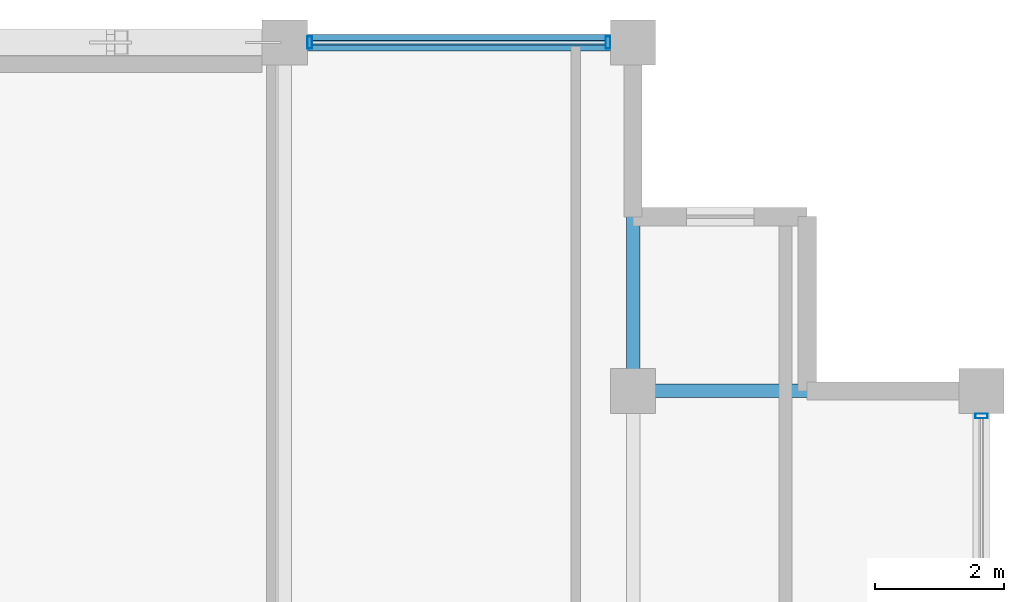
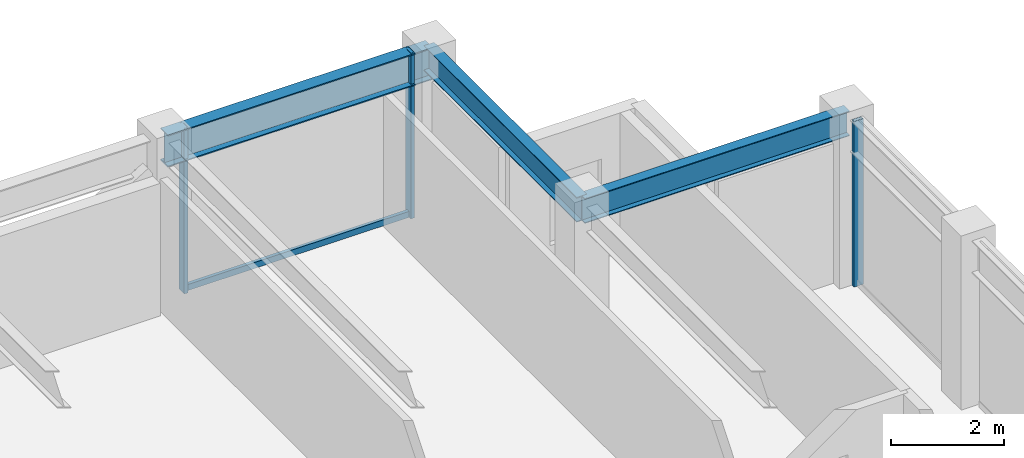
# One storey, part 22 of 31: 4 members, 3 beams, 2 elements without a shape of their own.
"""IFC4 building model written with IfcOpenShell, lengths in metres."""

from ifc_helpers import new_model, si_unit, direction, frame, origin, origin_2d, place, context, subcontext, project, spatial, hollow_rectangle, i_section, extrude, material, layer, layer_set, material_profile, profile_set, type_object, element, aggregate, save


model = new_model("IFC4")

# Units and contexts
model_context = context("Model", 3, precision=1e-05, world=origin(), true_north=direction((0.0, 1.0)))
body_context = subcontext(model_context, "Body", "Model", "MODEL_VIEW")
ifc_project = project(units=[si_unit("LENGTHUNIT", "METRE"), si_unit("AREAUNIT", "SQUARE_METRE"), si_unit("VOLUMEUNIT", "CUBIC_METRE"), si_unit("PLANEANGLEUNIT", "RADIAN"), si_unit("MASSUNIT", "GRAM", prefix="KILO")], contexts=[model_context])

# Site, building, storey
site_placement = place(None, origin())
site = spatial("IfcSite", under=ifc_project, at=site_placement, CompositionType="ELEMENT")
building_placement = place(site_placement, origin())
building = spatial("IfcBuilding", under=site, at=building_placement, Name="Surkhivell Harbour Commons", CompositionType="ELEMENT")
storey_placement = place(building_placement, frame((0.0, 0.0, 285.0)))
storey = spatial("IfcBuildingStorey", under=building, at=storey_placement, Name="L74", CompositionType="ELEMENT", Elevation=285.0)

# Beams
ifc_material_1 = material(Name="Steel S355", Category="steel")
ifc_material_profile_1 = material_profile(ifc_material_1, i_section(OverallWidth=0.2099609375, OverallDepth=0.537109375, WebThickness=0.0107421875, FlangeThickness=0.017333984375, at=origin_2d()), Name="UB533x210x101")
ifc_profile_set_1 = profile_set([ifc_material_profile_1], Name="Steel S355")
beam_type_1 = type_object("IfcBeamType", Name="BM-GRD-533B", PredefinedType="BEAM", material=ifc_profile_set_1)
for number, where, z_axis, x_axis, name in (
    (1, (10.800048828125, 20.5, 3.301513671875), (0.0, 1.0, 0.0), (-1.0, 0.0, 0.0), "L74 Floor Girder (10.8,20.5)"),
    (2, (10.800048828125, 20.5, 3.301513671875), (1.0, 0.0, 0.0), (0.0, 1.0, 0.0), "L74 Floor Girder (10.8,20.5)"),
):
    element("IfcBeam", number, at=place(storey_placement, frame(where, z_axis=z_axis, x_axis=x_axis)), inside=storey, type_object=beam_type_1, Name=name, PredefinedType="BEAM", context=body_context, shape_type="SweptSolid", body=[
        extrude(i_section(OverallWidth=0.2099609375, OverallDepth=0.537109375, WebThickness=0.0107421875, FlangeThickness=0.017333984375, at=origin_2d()), origin(), (0.0, 0.0, 1.0), 5.39990234375),
    ])
ifc_material_profile_2 = material_profile(ifc_material_1, i_section(OverallWidth=0.256103515625, OverallDepth=0.693115234375, WebThickness=0.014404296875, FlangeThickness=0.023681640625, at=origin_2d()), Name="UB686x254x170")
ifc_profile_set_2 = profile_set([ifc_material_profile_2], Name="Steel S355")
beam_type_2 = type_object("IfcBeamType", Name="BM-SPN-686", PredefinedType="SPANDREL", material=ifc_profile_set_2)
beam_placement = place(storey_placement, frame((5.39990234375, 25.89990234375, 3.223388671875), z_axis=(1.0, 0.0, 0.0), x_axis=(0.0, 1.0, 0.0)))
element("IfcBeam", 3, at=beam_placement, inside=storey, type_object=beam_type_2, Name="L74 Tube Spandrel (5.4,25.9)", PredefinedType="SPANDREL", context=body_context, shape_type="SweptSolid", body=[
    extrude(i_section(OverallWidth=0.256103515625, OverallDepth=0.693115234375, WebThickness=0.014404296875, FlangeThickness=0.023681640625, at=origin_2d()), origin(), (0.0, 0.0, 1.0), 5.400146484375),
])

# Curtain wall, member
ifc_material_2 = material(Name="Anodised pale-metal aluminium and insulated glazing", Category="aluminium")
ifc_layer = layer(ifc_material_2, 0.175048828125)
ifc_layer_set = layer_set([ifc_layer], Name="Anodised pale-metal aluminium and insulated glazing")
curtain_wall_type = type_object("IfcCurtainWallType", Name="CW-SYS-Z4", PredefinedType="NOTDEFINED", material=ifc_layer_set)
curtain_wall_1_placement = place(storey_placement, origin())
curtain_wall_1 = element("IfcCurtainWall", 4, at=curtain_wall_1_placement, inside=storey, type_object=curtain_wall_type, Name="L74 Curtain Wall CW-L74-E02", PredefinedType="NOTDEFINED")
ifc_material_3 = material(Name="Anodised pale-metal aluminium alloy 6063-T6", Category="aluminium")
ifc_material_profile_3 = material_profile(ifc_material_3, hollow_rectangle(XDim=0.074951171875, YDim=0.18994140625, WallThickness=0.00390625, at=origin_2d()), Name="ALU-MULL-75x190")
ifc_profile_set_3 = profile_set([ifc_material_profile_3], Name="Anodised pale-metal aluminium alloy 6063-T6")
member_type_1 = type_object("IfcMemberType", Name="CWM-190", PredefinedType="MULLION", material=ifc_profile_set_3)
member_1_placement = place(storey_placement, frame((16.199951171875, 20.110595703125, 0.0), z_axis=(0.0, 0.0, 1.0), x_axis=(0.0, 1.0, 0.0)))
member_1 = element("IfcMember", 5, at=member_1_placement, type_object=member_type_1, Name="CW-Z4 mullion 6", PredefinedType="MULLION", context=body_context, shape_type="SweptSolid", body=[
    extrude(hollow_rectangle(XDim=0.074951171875, YDim=0.18994140625, WallThickness=0.00390625, at=origin_2d()), origin(), (0.0, 0.0, 1.0), 3.570068359375),
])
aggregate(curtain_wall_1, [member_1])

# Curtain wall, members
curtain_wall_2_placement = place(storey_placement, origin())
curtain_wall_2 = element("IfcCurtainWall", 6, at=curtain_wall_2_placement, inside=storey, type_object=curtain_wall_type, Name="L74 Curtain Wall CW-L74-E07S1", PredefinedType="NOTDEFINED")
member_2_placement = place(storey_placement, frame((10.410400390625, 25.89990234375, 0.0), z_axis=(0.0, 0.0, 1.0), x_axis=(-1.0, 0.0, 0.0)))
member_2 = element("IfcMember", 7, at=member_2_placement, type_object=member_type_1, Name="CW-Z4 mullion 1", PredefinedType="MULLION", context=body_context, shape_type="SweptSolid", body=[
    extrude(hollow_rectangle(XDim=0.074951171875, YDim=0.18994140625, WallThickness=0.00390625, at=origin_2d()), origin(), (0.0, 0.0, 1.0), 3.570068359375),
])
member_3_placement = place(storey_placement, frame((5.78955078125, 25.89990234375, 0.0), z_axis=(0.0, 0.0, 1.0), x_axis=(-1.0, 0.0, 0.0)))
member_3 = element("IfcMember", 8, at=member_3_placement, type_object=member_type_1, Name="CW-Z4 mullion 2", PredefinedType="MULLION", context=body_context, shape_type="SweptSolid", body=[
    extrude(hollow_rectangle(XDim=0.074951171875, YDim=0.18994140625, WallThickness=0.00390625, at=origin_2d()), origin(), (0.0, 0.0, 1.0), 3.570068359375),
])
ifc_material_4 = material(Name="Champagne anodised aluminium alloy 6063-T6", Category="aluminium")
ifc_material_profile_4 = material_profile(ifc_material_4, hollow_rectangle(XDim=0.070068359375, YDim=0.1298828125, WallThickness=0.00341796875, at=origin_2d()), Name="ALU-TRAN-70x130")
ifc_profile_set_4 = profile_set([ifc_material_profile_4], Name="Champagne anodised aluminium alloy 6063-T6")
member_type_2 = type_object("IfcMemberType", Name="CWT-130", PredefinedType="USERDEFINED", material=ifc_profile_set_4)
member_4_placement = place(storey_placement, frame((10.373046875, 25.89990234375, 0.06494140625), z_axis=(-1.0, 0.0, 0.0), x_axis=(0.0, -1.0, 0.0)))
member_4 = element("IfcMember", 9, at=member_4_placement, type_object=member_type_2, Name="CW-Z4 transom 1.1", ObjectType="TRANSOM", PredefinedType="USERDEFINED", context=body_context, shape_type="SweptSolid", body=[
    extrude(hollow_rectangle(XDim=0.070068359375, YDim=0.1298828125, WallThickness=0.00341796875, at=origin_2d()), origin(), (0.0, 0.0, 1.0), 4.546142578125),
])
aggregate(curtain_wall_2, [member_2, member_3, member_4])

save(model, "model.ifc")
